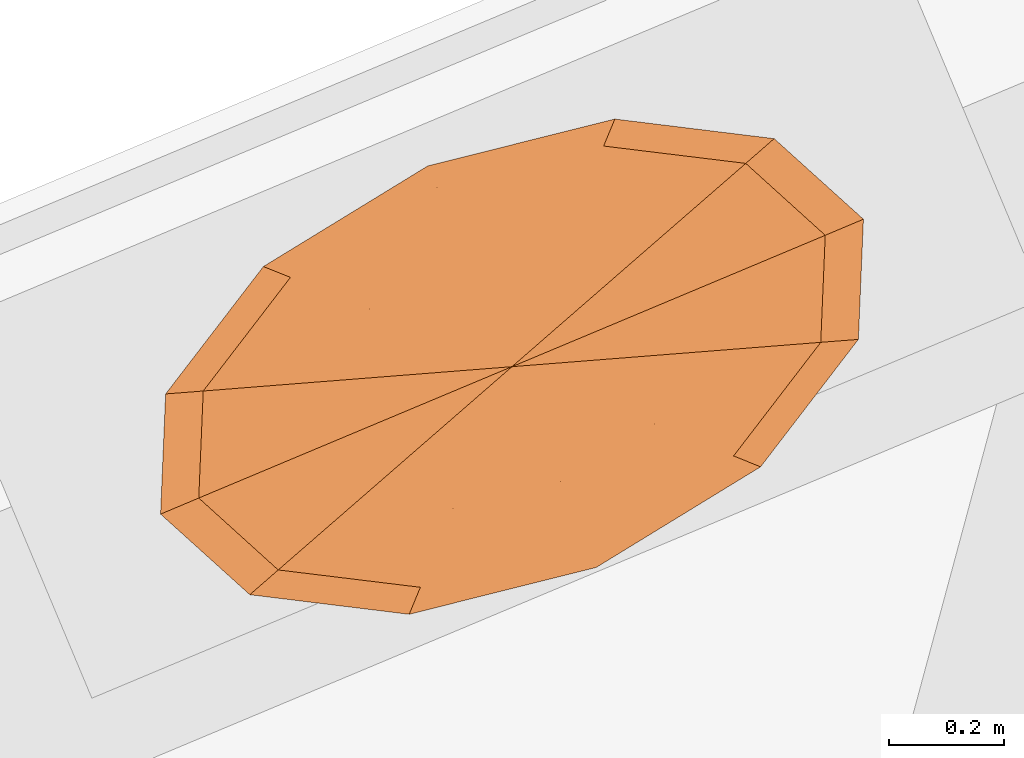
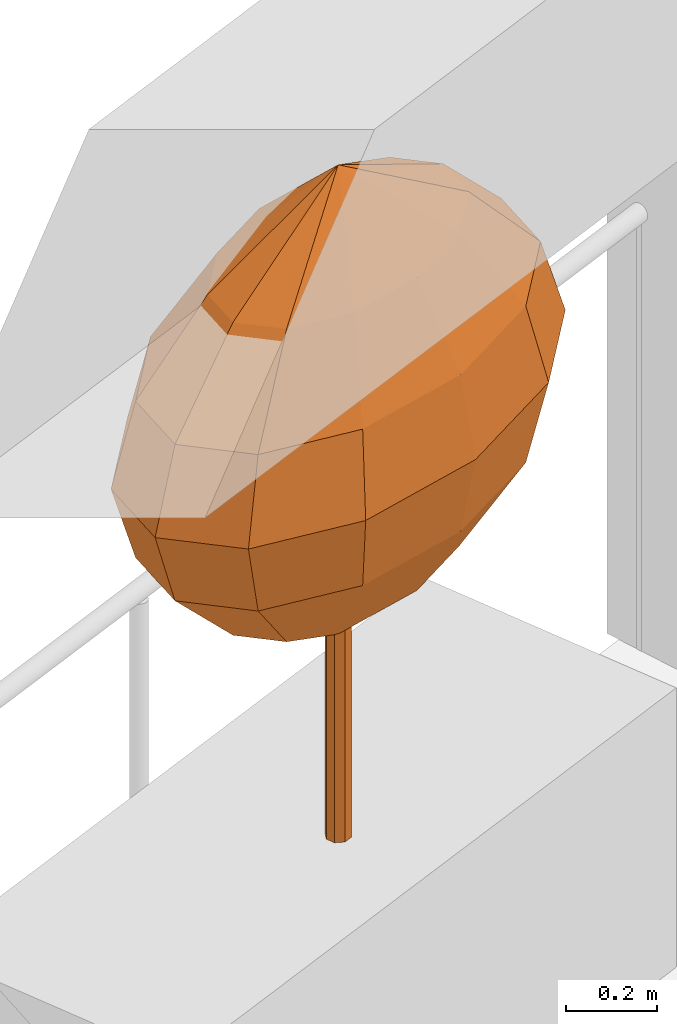
# One storey, part 12 of 12: 1 geographic element.
"""IFC4 building model written with IfcOpenShell, lengths in metres."""

from ifc_helpers import new_model, si_unit, direction, frame, origin, place, context, subcontext, project, spatial, faceted_brep, material, constituent, constituent_set, type_object, element, save


model = new_model("IFC4")

# Units and contexts
model_context = context("Model", 3, precision=1e-05, world=origin(), true_north=direction((0.0, 1.0)))
body_context = subcontext(model_context, "Body", "Model", "MODEL_VIEW")
ifc_project = project(units=[si_unit("LENGTHUNIT", "METRE"), si_unit("AREAUNIT", "SQUARE_METRE"), si_unit("VOLUMEUNIT", "CUBIC_METRE"), si_unit("PLANEANGLEUNIT", "RADIAN"), si_unit("MASSUNIT", "GRAM", prefix="KILO")], contexts=[model_context])

# Site, building, storey
site_placement = place(None, origin())
site = spatial("IfcSite", under=ifc_project, at=site_placement, CompositionType="ELEMENT")
building_placement = place(site_placement, origin())
building = spatial("IfcBuilding", under=site, at=building_placement, Name="Taillehof Tower", CompositionType="ELEMENT")
storey_placement = place(building_placement, frame((0.0, 0.0, 212.300048828125)))
storey = spatial("IfcBuildingStorey", under=building, at=storey_placement, Name="L60", CompositionType="ELEMENT", Elevation=212.300048828125)

# Geographic element
ifc_material_1 = material(Name="Tree bark", Category="timber")
ifc_constituent_1 = constituent(ifc_material_1, Name="Trunk", Category="timber")
ifc_material_2 = material(Name="Tree foliage")
ifc_constituent_2 = constituent(ifc_material_2, Name="Crown")
ifc_constituent_set = constituent_set(constituents=[ifc_constituent_1, ifc_constituent_2], Name="Tree TR4 Sea buckthorn standard")
geographic_element_type = type_object("IfcGeographicElementType", Name="Tree TR4 Sea buckthorn standard", PredefinedType="USERDEFINED", material=ifc_constituent_set)
geographic_element_placement = place(storey_placement, frame((-10.2373046875, 22.017822265625, 0.75)))
element("IfcGeographicElement", 1, at=geographic_element_placement, inside=storey, type_object=geographic_element_type, Name="Tree TR4 Sea buckthorn standard", ObjectType="TREE", PredefinedType="USERDEFINED", context=body_context, shape_type="Brep", body=[
    faceted_brep([(0.030029296875, 0.0, 0.0), (0.021240234375, 0.021240234375, 0.0), (0.021240234375, 0.021240234375, 0.98095703125), (0.030029296875, 0.0, 0.98095703125), (0.0, 0.030029296875, 0.0), (0.0, 0.030029296875, 0.98095703125), (-0.021240234375, 0.021240234375, 0.0), (-0.021240234375, 0.021240234375, 0.98095703125), (-0.030029296875, 0.0, 0.0), (-0.030029296875, 0.0, 0.98095703125), (-0.021240234375, -0.021240234375, 0.0), (-0.021240234375, -0.021240234375, 0.98095703125), (0.0, -0.030029296875, 0.0), (0.0, -0.030029296875, 0.98095703125), (0.021240234375, -0.021240234375, 0.0), (0.021240234375, -0.021240234375, 0.98095703125)], [[[0, 1, 2, 3]], [[1, 4, 5, 2]], [[4, 6, 7, 5]], [[6, 8, 9, 7]], [[8, 10, 11, 9]], [[10, 12, 13, 11]], [[12, 14, 15, 13]], [[14, 0, 3, 15]], [[14, 12, 10, 8, 6, 4, 1, 0]], [[3, 2, 5, 7, 9, 11, 13, 15]]]),
    faceted_brep([(0.0, 0.0, 0.5400390625), (-0.2626953125, -0.228515625, 0.75), (-0.352294921875, -0.147705078125, 0.75), (-0.10302734375, -0.248046875, 0.75), (0.08447265625, -0.201171875, 0.75), (0.249267578125, -0.100341796875, 0.75), (0.34716796875, 0.02734375, 0.75), (0.352294921875, 0.147705078125, 0.75), (0.2626953125, 0.228515625, 0.75), (0.10302734375, 0.248046875, 0.75), (-0.08447265625, 0.201171875, 0.75), (-0.249267578125, 0.100341796875, 0.75), (-0.34716796875, -0.02734375, 0.75), (-0.407958984375, -0.354736328125, 0.9599609375), (-0.546630859375, -0.229248046875, 0.9599609375), (-0.159912109375, -0.385009765625, 0.9599609375), (0.131103515625, -0.312255859375, 0.9599609375), (0.38671875, -0.15576171875, 0.9599609375), (0.538818359375, 0.04248046875, 0.9599609375), (0.546630859375, 0.229248046875, 0.9599609375), (0.407958984375, 0.354736328125, 0.9599609375), (0.159912109375, 0.385009765625, 0.9599609375), (-0.131103515625, 0.312255859375, 0.9599609375), (-0.38671875, 0.15576171875, 0.9599609375), (-0.538818359375, -0.04248046875, 0.9599609375), (-0.45751953125, -0.39794921875, 1.169921875), (-0.61328125, -0.25732421875, 1.169921875), (-0.179443359375, -0.43212890625, 1.169921875), (0.14697265625, -0.350341796875, 1.169921875), (0.433837890625, -0.1748046875, 1.169921875), (0.6044921875, 0.047607421875, 1.169921875), (0.61328125, 0.25732421875, 1.169921875), (0.45751953125, 0.39794921875, 1.169921875), (0.179443359375, 0.43212890625, 1.169921875), (-0.14697265625, 0.350341796875, 1.169921875), (-0.433837890625, 0.1748046875, 1.169921875), (-0.6044921875, -0.047607421875, 1.169921875), (-0.407958984375, -0.354736328125, 1.3798828125), (-0.546630859375, -0.229248046875, 1.3798828125), (-0.159912109375, -0.385009765625, 1.3798828125), (0.131103515625, -0.312255859375, 1.3798828125), (0.38671875, -0.15576171875, 1.3798828125), (0.538818359375, 0.04248046875, 1.3798828125), (0.546630859375, 0.229248046875, 1.3798828125), (0.407958984375, 0.354736328125, 1.3798828125), (0.159912109375, 0.385009765625, 1.3798828125), (-0.131103515625, 0.312255859375, 1.3798828125), (-0.38671875, 0.15576171875, 1.3798828125), (-0.538818359375, -0.04248046875, 1.3798828125), (-0.2626953125, -0.228515625, 1.590087890625), (-0.352294921875, -0.147705078125, 1.590087890625), (-0.10302734375, -0.248046875, 1.590087890625), (0.08447265625, -0.201171875, 1.590087890625), (0.249267578125, -0.100341796875, 1.590087890625), (0.34716796875, 0.02734375, 1.590087890625), (0.352294921875, 0.147705078125, 1.590087890625), (0.2626953125, 0.228515625, 1.590087890625), (0.10302734375, 0.248046875, 1.590087890625), (-0.08447265625, 0.201171875, 1.590087890625), (-0.249267578125, 0.100341796875, 1.590087890625), (-0.34716796875, -0.02734375, 1.590087890625), (0.0, 0.0, 1.800048828125)], [[[0, 1, 2]], [[0, 3, 1]], [[0, 4, 3]], [[0, 5, 4]], [[0, 6, 5]], [[0, 7, 6]], [[0, 8, 7]], [[0, 9, 8]], [[0, 10, 9]], [[0, 11, 10]], [[0, 12, 11]], [[0, 2, 12]], [[2, 1, 13, 14]], [[1, 3, 15, 13]], [[3, 4, 16, 15]], [[4, 5, 17, 16]], [[5, 6, 18, 17]], [[6, 7, 19, 18]], [[7, 8, 20, 19]], [[8, 9, 21, 20]], [[9, 10, 22, 21]], [[10, 11, 23, 22]], [[11, 12, 24, 23]], [[12, 2, 14, 24]], [[14, 13, 25, 26]], [[13, 15, 27, 25]], [[15, 16, 28, 27]], [[16, 17, 29, 28]], [[17, 18, 30, 29]], [[18, 19, 31, 30]], [[19, 20, 32, 31]], [[20, 21, 33, 32]], [[21, 22, 34, 33]], [[22, 23, 35, 34]], [[23, 24, 36, 35]], [[24, 14, 26, 36]], [[26, 25, 37, 38]], [[25, 27, 39, 37]], [[27, 28, 40, 39]], [[28, 29, 41, 40]], [[29, 30, 42, 41]], [[30, 31, 43, 42]], [[31, 32, 44, 43]], [[32, 33, 45, 44]], [[33, 34, 46, 45]], [[34, 35, 47, 46]], [[35, 36, 48, 47]], [[36, 26, 38, 48]], [[38, 37, 49, 50]], [[37, 39, 51, 49]], [[39, 40, 52, 51]], [[40, 41, 53, 52]], [[41, 42, 54, 53]], [[42, 43, 55, 54]], [[43, 44, 56, 55]], [[44, 45, 57, 56]], [[45, 46, 58, 57]], [[46, 47, 59, 58]], [[47, 48, 60, 59]], [[48, 38, 50, 60]], [[50, 49, 61]], [[49, 51, 61]], [[51, 52, 61]], [[52, 53, 61]], [[53, 54, 61]], [[54, 55, 61]], [[55, 56, 61]], [[56, 57, 61]], [[57, 58, 61]], [[58, 59, 61]], [[59, 60, 61]], [[60, 50, 61]]]),
])

save(model, "model.ifc")
